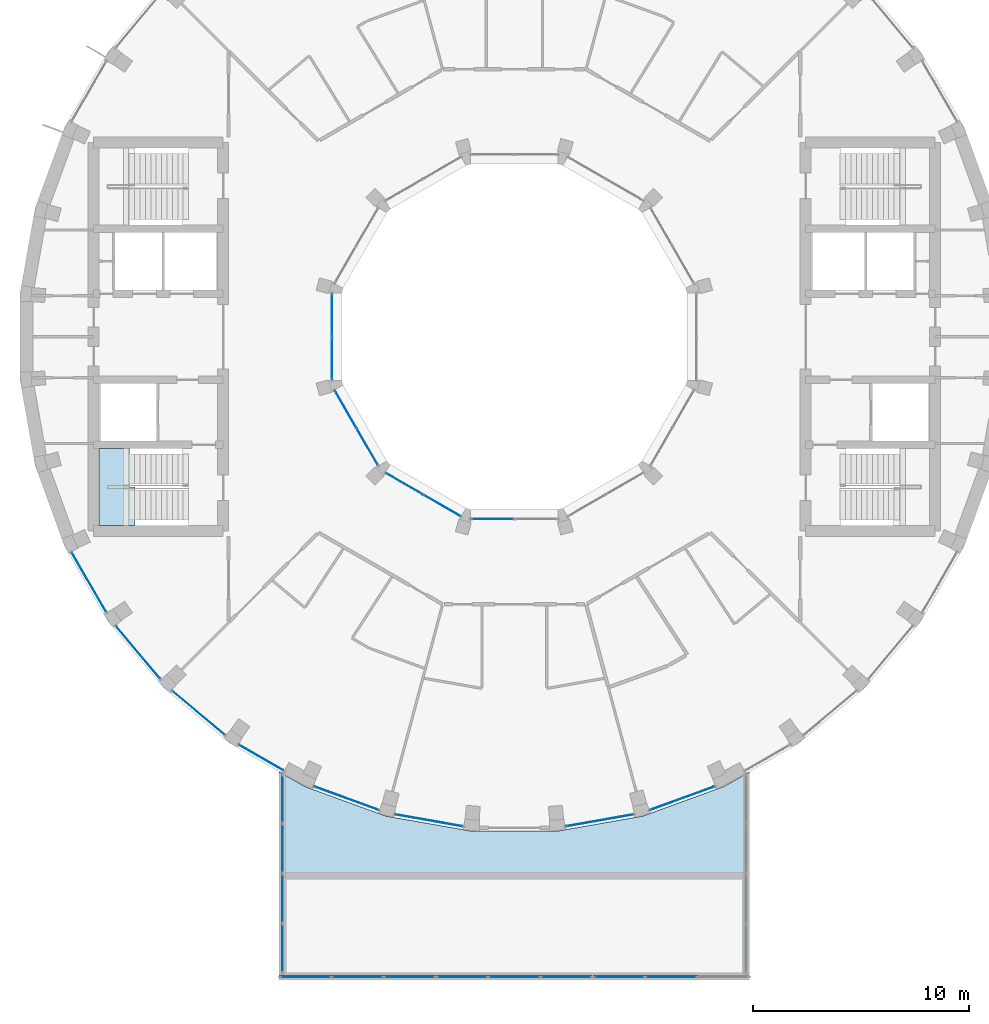
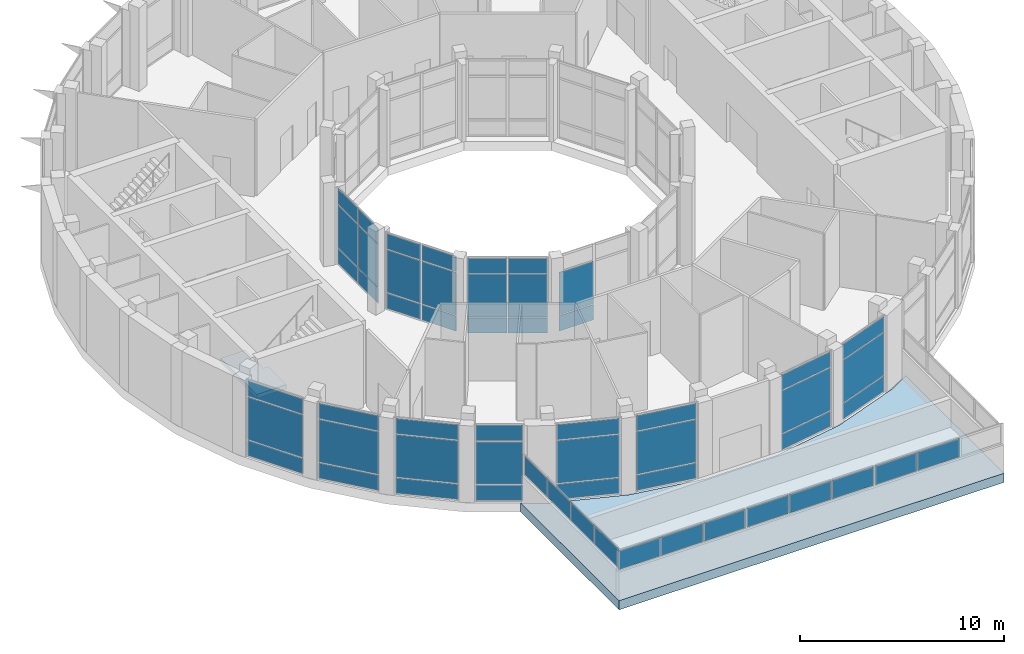
# One storey, part 10 of 19: 56 plates, 2 slabs, 17 elements without a shape of their own.
"""IFC4 building model written with IfcOpenShell, lengths in metres."""

from ifc_helpers import new_model, si_unit, direction, frame, origin, origin_2d, place, context, subcontext, project, spatial, polyline, rectangle, outline, extrude, material, layer, layer_set, type_object, element, aggregate, save


model = new_model("IFC4")

# Units and contexts
model_context = context("Model", 3, precision=1e-05, world=origin(), true_north=direction((0.0, 1.0)))
body_context = subcontext(model_context, "Body", "Model", "MODEL_VIEW")
ifc_project = project(units=[si_unit("LENGTHUNIT", "METRE"), si_unit("AREAUNIT", "SQUARE_METRE"), si_unit("VOLUMEUNIT", "CUBIC_METRE"), si_unit("PLANEANGLEUNIT", "RADIAN"), si_unit("MASSUNIT", "GRAM", prefix="KILO")], contexts=[model_context])

# Site, building, storey
site_placement = place(None, origin())
site = spatial("IfcSite", under=ifc_project, at=site_placement, CompositionType="ELEMENT")
building_placement = place(site_placement, origin())
building = spatial("IfcBuilding", under=site, at=building_placement, Name="Saqina Gate Tower", CompositionType="ELEMENT")
storey_placement = place(building_placement, frame((0.0, 0.0, 224.699951171875)))
storey = spatial("IfcBuildingStorey", under=building, at=storey_placement, Name="L64", CompositionType="ELEMENT", Elevation=224.699951171875)

# Curtain wall, plates
ifc_material_1 = material(Name="Aluminium glazing", Category="aluminium")
ifc_layer_1 = layer(ifc_material_1, 0.159912109375)
ifc_layer_set_1 = layer_set([ifc_layer_1], Name="CWT-2")
curtain_wall_type_1 = type_object("IfcCurtainWallType", Name="CWT-2", PredefinedType="NOTDEFINED", material=ifc_layer_set_1)
curtain_wall_1_placement = place(storey_placement, origin())
curtain_wall_1 = element("IfcCurtainWall", 1, at=curtain_wall_1_placement, inside=storey, type_object=curtain_wall_type_1, Name="Sky lounge glazing facet 21", PredefinedType="NOTDEFINED")
ifc_material_2 = material(Name="Glass", Category="glass")
ifc_layer_2 = layer(ifc_material_2, 0.028076171875)
ifc_layer_set_2 = layer_set([ifc_layer_2], Name="CWT-2P")
plate_type_1 = type_object("IfcPlateType", Name="CWT-2P", PredefinedType="CURTAIN_PANEL", material=ifc_layer_set_2)
plate_1_placement = place(storey_placement, frame((-19.712890625, -11.38134765625, 0.06005859375), z_axis=(0.0, 0.0, 1.0), x_axis=(0.499982449212, -0.8660355365, 0.0)))
plate_1 = element("IfcPlate", 2, at=plate_1_placement, type_object=plate_type_1, Name="CW2-21 panel 1.1", PredefinedType="CURTAIN_PANEL", context=body_context, shape_type="SweptSolid", body=[
    extrude(rectangle(XDim=3.1318359375, YDim=0.028076171875, at=origin_2d()), origin(), (0.0, 0.0, 1.0), 0.909912109375),
])
plate_2_placement = place(storey_placement, frame((-19.712890625, -11.38134765625, 1.030029296875), z_axis=(0.0, 0.0, 1.0), x_axis=(0.499982449212, -0.8660355365, 0.0)))
plate_2 = element("IfcPlate", 3, at=plate_2_placement, type_object=plate_type_1, Name="CW2-21 panel 1.2", PredefinedType="CURTAIN_PANEL", context=body_context, shape_type="SweptSolid", body=[
    extrude(rectangle(XDim=3.1318359375, YDim=0.028076171875, at=origin_2d()), origin(), (0.0, 0.0, 1.0), 2.5400390625),
])
plate_3_placement = place(storey_placement, frame((-19.712890625, -11.38134765625, 3.6298828125), z_axis=(0.0, 0.0, 1.0), x_axis=(0.499982449212, -0.8660355365, 0.0)))
plate_3 = element("IfcPlate", 4, at=plate_3_placement, type_object=plate_type_1, Name="CW2-21 panel 1.3", PredefinedType="CURTAIN_PANEL", context=body_context, shape_type="SweptSolid", body=[
    extrude(rectangle(XDim=3.1318359375, YDim=0.028076171875, at=origin_2d()), origin(), (0.0, 0.0, 1.0), 0.909912109375),
])
aggregate(curtain_wall_1, [plate_1, plate_2, plate_3])

curtain_wall_2_placement = place(storey_placement, origin())
curtain_wall_2 = element("IfcCurtainWall", 5, at=curtain_wall_2_placement, inside=storey, type_object=curtain_wall_type_1, Name="Sky lounge glazing facet 22", PredefinedType="NOTDEFINED")
plate_4_placement = place(storey_placement, frame((-17.43701171875, -14.63134765625, 0.06005859375), z_axis=(0.0, 0.0, 1.0), x_axis=(0.642785214609, -0.766046452821, 0.0)))
plate_4 = element("IfcPlate", 6, at=plate_4_placement, type_object=plate_type_1, Name="CW2-22 panel 1.1", PredefinedType="CURTAIN_PANEL", context=body_context, shape_type="SweptSolid", body=[
    extrude(rectangle(XDim=3.131591796875, YDim=0.028076171875, at=origin_2d()), origin(), (0.0, 0.0, 1.0), 0.909912109375),
])
plate_5_placement = place(storey_placement, frame((-17.43701171875, -14.63134765625, 1.030029296875), z_axis=(0.0, 0.0, 1.0), x_axis=(0.642785214609, -0.766046452821, 0.0)))
plate_5 = element("IfcPlate", 7, at=plate_5_placement, type_object=plate_type_1, Name="CW2-22 panel 1.2", PredefinedType="CURTAIN_PANEL", context=body_context, shape_type="SweptSolid", body=[
    extrude(rectangle(XDim=3.131591796875, YDim=0.028076171875, at=origin_2d()), origin(), (0.0, 0.0, 1.0), 2.5400390625),
])
plate_6_placement = place(storey_placement, frame((-17.43701171875, -14.63134765625, 3.6298828125), z_axis=(0.0, 0.0, 1.0), x_axis=(0.642785214609, -0.766046452821, 0.0)))
plate_6 = element("IfcPlate", 8, at=plate_6_placement, type_object=plate_type_1, Name="CW2-22 panel 1.3", PredefinedType="CURTAIN_PANEL", context=body_context, shape_type="SweptSolid", body=[
    extrude(rectangle(XDim=3.131591796875, YDim=0.028076171875, at=origin_2d()), origin(), (0.0, 0.0, 1.0), 0.909912109375),
])
aggregate(curtain_wall_2, [plate_4, plate_5, plate_6])

curtain_wall_3_placement = place(storey_placement, origin())
curtain_wall_3 = element("IfcCurtainWall", 9, at=curtain_wall_3_placement, inside=storey, type_object=curtain_wall_type_1, Name="Sky lounge glazing facet 23", PredefinedType="NOTDEFINED")
plate_7_placement = place(storey_placement, frame((-14.63134765625, -17.43701171875, 0.06005859375), z_axis=(0.0, 0.0, 1.0), x_axis=(0.766046452821, -0.642785214609, 0.0)))
plate_7 = element("IfcPlate", 10, at=plate_7_placement, type_object=plate_type_1, Name="CW2-23 panel 1.1", PredefinedType="CURTAIN_PANEL", context=body_context, shape_type="SweptSolid", body=[
    extrude(rectangle(XDim=3.131591796875, YDim=0.028076171875, at=origin_2d()), origin(), (0.0, 0.0, 1.0), 0.909912109375),
])
plate_8_placement = place(storey_placement, frame((-14.63134765625, -17.43701171875, 1.030029296875), z_axis=(0.0, 0.0, 1.0), x_axis=(0.766046452821, -0.642785214609, 0.0)))
plate_8 = element("IfcPlate", 11, at=plate_8_placement, type_object=plate_type_1, Name="CW2-23 panel 1.2", PredefinedType="CURTAIN_PANEL", context=body_context, shape_type="SweptSolid", body=[
    extrude(rectangle(XDim=3.131591796875, YDim=0.028076171875, at=origin_2d()), origin(), (0.0, 0.0, 1.0), 2.5400390625),
])
plate_9_placement = place(storey_placement, frame((-14.63134765625, -17.43701171875, 3.6298828125), z_axis=(0.0, 0.0, 1.0), x_axis=(0.766046452821, -0.642785214609, 0.0)))
plate_9 = element("IfcPlate", 12, at=plate_9_placement, type_object=plate_type_1, Name="CW2-23 panel 1.3", PredefinedType="CURTAIN_PANEL", context=body_context, shape_type="SweptSolid", body=[
    extrude(rectangle(XDim=3.131591796875, YDim=0.028076171875, at=origin_2d()), origin(), (0.0, 0.0, 1.0), 0.909912109375),
])
aggregate(curtain_wall_3, [plate_7, plate_8, plate_9])

curtain_wall_4_placement = place(storey_placement, origin())
curtain_wall_4 = element("IfcCurtainWall", 13, at=curtain_wall_4_placement, inside=storey, type_object=curtain_wall_type_1, Name="Sky lounge glazing facet 24", PredefinedType="NOTDEFINED")
plate_10_placement = place(storey_placement, frame((-11.732177734375, -19.51025390625, 0.06005859375), z_axis=(0.0, 0.0, 1.0), x_axis=(0.866041663294, -0.499971836646, 0.0)))
plate_10 = element("IfcPlate", 14, at=plate_10_placement, type_object=plate_type_1, Name="CW2-24 panel 1.1", PredefinedType="CURTAIN_PANEL", context=body_context, shape_type="SweptSolid", body=[
    extrude(rectangle(XDim=2.3212890625, YDim=0.028076171875, at=origin_2d()), origin(), (0.0, 0.0, 1.0), 0.909912109375),
])
plate_11_placement = place(storey_placement, frame((-11.732177734375, -19.51025390625, 1.030029296875), z_axis=(0.0, 0.0, 1.0), x_axis=(0.866041663294, -0.499971836646, 0.0)))
plate_11 = element("IfcPlate", 15, at=plate_11_placement, type_object=plate_type_1, Name="CW2-24 panel 1.2", PredefinedType="CURTAIN_PANEL", context=body_context, shape_type="SweptSolid", body=[
    extrude(rectangle(XDim=2.3212890625, YDim=0.028076171875, at=origin_2d()), origin(), (0.0, 0.0, 1.0), 2.5400390625),
])
plate_12_placement = place(storey_placement, frame((-11.732177734375, -19.51025390625, 3.6298828125), z_axis=(0.0, 0.0, 1.0), x_axis=(0.866041663294, -0.499971836646, 0.0)))
plate_12 = element("IfcPlate", 16, at=plate_12_placement, type_object=plate_type_1, Name="CW2-24 panel 1.3", PredefinedType="CURTAIN_PANEL", context=body_context, shape_type="SweptSolid", body=[
    extrude(rectangle(XDim=2.3212890625, YDim=0.028076171875, at=origin_2d()), origin(), (0.0, 0.0, 1.0), 0.909912109375),
])
aggregate(curtain_wall_4, [plate_10, plate_11, plate_12])

curtain_wall_5_placement = place(storey_placement, origin())
curtain_wall_5 = element("IfcCurtainWall", 17, at=curtain_wall_5_placement, inside=storey, type_object=curtain_wall_type_1, Name="Sky lounge glazing facet 25", PredefinedType="NOTDEFINED")
plate_13_placement = place(storey_placement, frame((-7.78515625, -21.3896484375, 0.06005859375), z_axis=(0.0, 0.0, 1.0), x_axis=(0.939697310402, -0.342007258437, 0.0)))
plate_13 = element("IfcPlate", 18, at=plate_13_placement, type_object=plate_type_1, Name="CW2-25 panel 1.1", PredefinedType="CURTAIN_PANEL", context=body_context, shape_type="SweptSolid", body=[
    extrude(rectangle(XDim=3.131591796875, YDim=0.028076171875, at=origin_2d()), origin(), (0.0, 0.0, 1.0), 0.909912109375),
])
plate_14_placement = place(storey_placement, frame((-7.78515625, -21.3896484375, 1.030029296875), z_axis=(0.0, 0.0, 1.0), x_axis=(0.939697310402, -0.342007258437, 0.0)))
plate_14 = element("IfcPlate", 19, at=plate_14_placement, type_object=plate_type_1, Name="CW2-25 panel 1.2", PredefinedType="CURTAIN_PANEL", context=body_context, shape_type="SweptSolid", body=[
    extrude(rectangle(XDim=3.131591796875, YDim=0.028076171875, at=origin_2d()), origin(), (0.0, 0.0, 1.0), 2.5400390625),
])
plate_15_placement = place(storey_placement, frame((-7.78515625, -21.3896484375, 3.6298828125), z_axis=(0.0, 0.0, 1.0), x_axis=(0.939697310402, -0.342007258437, 0.0)))
plate_15 = element("IfcPlate", 20, at=plate_15_placement, type_object=plate_type_1, Name="CW2-25 panel 1.3", PredefinedType="CURTAIN_PANEL", context=body_context, shape_type="SweptSolid", body=[
    extrude(rectangle(XDim=3.131591796875, YDim=0.028076171875, at=origin_2d()), origin(), (0.0, 0.0, 1.0), 0.909912109375),
])
aggregate(curtain_wall_5, [plate_13, plate_14, plate_15])

curtain_wall_6_placement = place(storey_placement, origin())
curtain_wall_6 = element("IfcCurtainWall", 21, at=curtain_wall_6_placement, inside=storey, type_object=curtain_wall_type_1, Name="Sky lounge glazing facet 26", PredefinedType="NOTDEFINED")
plate_16_placement = place(storey_placement, frame((-3.95263671875, -22.416748046875, 0.06005859375), z_axis=(0.0, 0.0, 1.0), x_axis=(0.984805222779, -0.173662526718, 0.0)))
plate_16 = element("IfcPlate", 22, at=plate_16_placement, type_object=plate_type_1, Name="CW2-26 panel 1.1", PredefinedType="CURTAIN_PANEL", context=body_context, shape_type="SweptSolid", body=[
    extrude(rectangle(XDim=3.131591796875, YDim=0.028076171875, at=origin_2d()), origin(), (0.0, 0.0, 1.0), 0.909912109375),
])
plate_17_placement = place(storey_placement, frame((-3.95263671875, -22.416748046875, 1.030029296875), z_axis=(0.0, 0.0, 1.0), x_axis=(0.984805222779, -0.173662526718, 0.0)))
plate_17 = element("IfcPlate", 23, at=plate_17_placement, type_object=plate_type_1, Name="CW2-26 panel 1.2", PredefinedType="CURTAIN_PANEL", context=body_context, shape_type="SweptSolid", body=[
    extrude(rectangle(XDim=3.131591796875, YDim=0.028076171875, at=origin_2d()), origin(), (0.0, 0.0, 1.0), 2.5400390625),
])
plate_18_placement = place(storey_placement, frame((-3.95263671875, -22.416748046875, 3.6298828125), z_axis=(0.0, 0.0, 1.0), x_axis=(0.984805222779, -0.173662526718, 0.0)))
plate_18 = element("IfcPlate", 24, at=plate_18_placement, type_object=plate_type_1, Name="CW2-26 panel 1.3", PredefinedType="CURTAIN_PANEL", context=body_context, shape_type="SweptSolid", body=[
    extrude(rectangle(XDim=3.131591796875, YDim=0.028076171875, at=origin_2d()), origin(), (0.0, 0.0, 1.0), 0.909912109375),
])
aggregate(curtain_wall_6, [plate_16, plate_17, plate_18])

curtain_wall_7_placement = place(storey_placement, origin())
curtain_wall_7 = element("IfcCurtainWall", 25, at=curtain_wall_7_placement, inside=storey, type_object=curtain_wall_type_1, Name="Sky lounge glazing facet 28", PredefinedType="NOTDEFINED")
plate_19_placement = place(storey_placement, frame((3.95263671875, -22.416748046875, 0.06005859375), z_axis=(0.0, 0.0, 1.0), x_axis=(0.984805222779, 0.173662526718, 0.0)))
plate_19 = element("IfcPlate", 26, at=plate_19_placement, type_object=plate_type_1, Name="CW2-28 panel 1.1", PredefinedType="CURTAIN_PANEL", context=body_context, shape_type="SweptSolid", body=[
    extrude(rectangle(XDim=3.131591796875, YDim=0.028076171875, at=origin_2d()), origin(), (0.0, 0.0, 1.0), 0.909912109375),
])
plate_20_placement = place(storey_placement, frame((3.95263671875, -22.416748046875, 1.030029296875), z_axis=(0.0, 0.0, 1.0), x_axis=(0.984805222779, 0.173662526718, 0.0)))
plate_20 = element("IfcPlate", 27, at=plate_20_placement, type_object=plate_type_1, Name="CW2-28 panel 1.2", PredefinedType="CURTAIN_PANEL", context=body_context, shape_type="SweptSolid", body=[
    extrude(rectangle(XDim=3.131591796875, YDim=0.028076171875, at=origin_2d()), origin(), (0.0, 0.0, 1.0), 2.5400390625),
])
plate_21_placement = place(storey_placement, frame((3.95263671875, -22.416748046875, 3.6298828125), z_axis=(0.0, 0.0, 1.0), x_axis=(0.984805222779, 0.173662526718, 0.0)))
plate_21 = element("IfcPlate", 28, at=plate_21_placement, type_object=plate_type_1, Name="CW2-28 panel 1.3", PredefinedType="CURTAIN_PANEL", context=body_context, shape_type="SweptSolid", body=[
    extrude(rectangle(XDim=3.131591796875, YDim=0.028076171875, at=origin_2d()), origin(), (0.0, 0.0, 1.0), 0.909912109375),
])
aggregate(curtain_wall_7, [plate_19, plate_20, plate_21])

curtain_wall_8_placement = place(storey_placement, origin())
curtain_wall_8 = element("IfcCurtainWall", 29, at=curtain_wall_8_placement, inside=storey, type_object=curtain_wall_type_1, Name="Sky lounge glazing facet 29", PredefinedType="NOTDEFINED")
plate_22_placement = place(storey_placement, frame((7.78515625, -21.3896484375, 0.06005859375), z_axis=(0.0, 0.0, 1.0), x_axis=(0.939697310402, 0.342007258437, 0.0)))
plate_22 = element("IfcPlate", 30, at=plate_22_placement, type_object=plate_type_1, Name="CW2-29 panel 1.1", PredefinedType="CURTAIN_PANEL", context=body_context, shape_type="SweptSolid", body=[
    extrude(rectangle(XDim=3.131591796875, YDim=0.028076171875, at=origin_2d()), origin(), (0.0, 0.0, 1.0), 0.909912109375),
])
plate_23_placement = place(storey_placement, frame((7.78515625, -21.3896484375, 1.030029296875), z_axis=(0.0, 0.0, 1.0), x_axis=(0.939697310402, 0.342007258437, 0.0)))
plate_23 = element("IfcPlate", 31, at=plate_23_placement, type_object=plate_type_1, Name="CW2-29 panel 1.2", PredefinedType="CURTAIN_PANEL", context=body_context, shape_type="SweptSolid", body=[
    extrude(rectangle(XDim=3.131591796875, YDim=0.028076171875, at=origin_2d()), origin(), (0.0, 0.0, 1.0), 2.5400390625),
])
plate_24_placement = place(storey_placement, frame((7.78515625, -21.3896484375, 3.6298828125), z_axis=(0.0, 0.0, 1.0), x_axis=(0.939697310402, 0.342007258437, 0.0)))
plate_24 = element("IfcPlate", 32, at=plate_24_placement, type_object=plate_type_1, Name="CW2-29 panel 1.3", PredefinedType="CURTAIN_PANEL", context=body_context, shape_type="SweptSolid", body=[
    extrude(rectangle(XDim=3.131591796875, YDim=0.028076171875, at=origin_2d()), origin(), (0.0, 0.0, 1.0), 0.909912109375),
])
aggregate(curtain_wall_8, [plate_22, plate_23, plate_24])

ifc_material_3 = material(Name="Aluminium glazing", Category="aluminium")
ifc_layer_3 = layer(ifc_material_3, 0.159912109375)
ifc_layer_set_3 = layer_set([ifc_layer_3], Name="CWT-3")
curtain_wall_type_2 = type_object("IfcCurtainWallType", Name="CWT-3", PredefinedType="NOTDEFINED", material=ifc_layer_set_3)
curtain_wall_9_placement = place(storey_placement, origin())
curtain_wall_9 = element("IfcCurtainWall", 33, at=curtain_wall_9_placement, inside=storey, type_object=curtain_wall_type_2, Name="Sky lounge well glazing L64 facet 6", PredefinedType="NOTDEFINED")
ifc_material_4 = material(Name="Glass", Category="glass")
ifc_layer_4 = layer(ifc_material_4, 0.028076171875)
ifc_layer_set_4 = layer_set([ifc_layer_4], Name="CWT-3P")
plate_type_2 = type_object("IfcPlateType", Name="CWT-3P", PredefinedType="CURTAIN_PANEL", material=ifc_layer_set_4)
plate_25_placement = place(storey_placement, frame((-8.449951171875, 0.999755859375, 0.06005859375), z_axis=(0.0, 0.0, 1.0), x_axis=(0.0, -1.0, 0.0)))
plate_25 = element("IfcPlate", 34, at=plate_25_placement, type_object=plate_type_2, Name="CW3-06 panel 1.1", PredefinedType="CURTAIN_PANEL", context=body_context, shape_type="SweptSolid", body=[
    extrude(rectangle(XDim=1.939453125, YDim=0.028076171875, at=origin_2d()), origin(), (0.0, 0.0, 1.0), 0.909912109375),
])
plate_26_placement = place(storey_placement, frame((-8.449951171875, 0.999755859375, 1.030029296875), z_axis=(0.0, 0.0, 1.0), x_axis=(0.0, -1.0, 0.0)))
plate_26 = element("IfcPlate", 35, at=plate_26_placement, type_object=plate_type_2, Name="CW3-06 panel 1.2", PredefinedType="CURTAIN_PANEL", context=body_context, shape_type="SweptSolid", body=[
    extrude(rectangle(XDim=1.939453125, YDim=0.028076171875, at=origin_2d()), origin(), (0.0, 0.0, 1.0), 2.5400390625),
])
plate_27_placement = place(storey_placement, frame((-8.449951171875, 0.999755859375, 3.6298828125), z_axis=(0.0, 0.0, 1.0), x_axis=(0.0, -1.0, 0.0)))
plate_27 = element("IfcPlate", 36, at=plate_27_placement, type_object=plate_type_2, Name="CW3-06 panel 1.3", PredefinedType="CURTAIN_PANEL", context=body_context, shape_type="SweptSolid", body=[
    extrude(rectangle(XDim=1.939453125, YDim=0.028076171875, at=origin_2d()), origin(), (0.0, 0.0, 1.0), 0.909912109375),
])
plate_28_placement = place(storey_placement, frame((-8.449951171875, -0.999755859375, 0.06005859375), z_axis=(0.0, 0.0, 1.0), x_axis=(0.0, -1.0, 0.0)))
plate_28 = element("IfcPlate", 37, at=plate_28_placement, type_object=plate_type_2, Name="CW3-06 panel 2.1", PredefinedType="CURTAIN_PANEL", context=body_context, shape_type="SweptSolid", body=[
    extrude(rectangle(XDim=1.939453125, YDim=0.028076171875, at=origin_2d()), origin(), (0.0, 0.0, 1.0), 0.909912109375),
])
plate_29_placement = place(storey_placement, frame((-8.449951171875, -0.999755859375, 1.030029296875), z_axis=(0.0, 0.0, 1.0), x_axis=(0.0, -1.0, 0.0)))
plate_29 = element("IfcPlate", 38, at=plate_29_placement, type_object=plate_type_2, Name="CW3-06 panel 2.2", PredefinedType="CURTAIN_PANEL", context=body_context, shape_type="SweptSolid", body=[
    extrude(rectangle(XDim=1.939453125, YDim=0.028076171875, at=origin_2d()), origin(), (0.0, 0.0, 1.0), 2.5400390625),
])
plate_30_placement = place(storey_placement, frame((-8.449951171875, -0.999755859375, 3.6298828125), z_axis=(0.0, 0.0, 1.0), x_axis=(0.0, -1.0, 0.0)))
plate_30 = element("IfcPlate", 39, at=plate_30_placement, type_object=plate_type_2, Name="CW3-06 panel 2.3", PredefinedType="CURTAIN_PANEL", context=body_context, shape_type="SweptSolid", body=[
    extrude(rectangle(XDim=1.939453125, YDim=0.028076171875, at=origin_2d()), origin(), (0.0, 0.0, 1.0), 0.909912109375),
])
aggregate(curtain_wall_9, [plate_25, plate_26, plate_27, plate_28, plate_29, plate_30])

curtain_wall_10_placement = place(storey_placement, origin())
curtain_wall_10 = element("IfcCurtainWall", 40, at=curtain_wall_10_placement, inside=storey, type_object=curtain_wall_type_2, Name="Sky lounge well glazing L64 facet 7", PredefinedType="NOTDEFINED")
plate_31_placement = place(storey_placement, frame((-7.81787109375, -3.359130859375, 0.06005859375), z_axis=(0.0, 0.0, 1.0), x_axis=(0.500002550729, -0.866023931115, 0.0)))
plate_31 = element("IfcPlate", 41, at=plate_31_placement, type_object=plate_type_2, Name="CW3-07 panel 1.1", PredefinedType="CURTAIN_PANEL", context=body_context, shape_type="SweptSolid", body=[
    extrude(rectangle(XDim=1.939453125, YDim=0.028076171875, at=origin_2d()), origin(), (0.0, 0.0, 1.0), 0.909912109375),
])
plate_32_placement = place(storey_placement, frame((-7.81787109375, -3.359130859375, 1.030029296875), z_axis=(0.0, 0.0, 1.0), x_axis=(0.500002550729, -0.866023931115, 0.0)))
plate_32 = element("IfcPlate", 42, at=plate_32_placement, type_object=plate_type_2, Name="CW3-07 panel 1.2", PredefinedType="CURTAIN_PANEL", context=body_context, shape_type="SweptSolid", body=[
    extrude(rectangle(XDim=1.939453125, YDim=0.028076171875, at=origin_2d()), origin(), (0.0, 0.0, 1.0), 2.5400390625),
])
plate_33_placement = place(storey_placement, frame((-7.81787109375, -3.359130859375, 3.6298828125), z_axis=(0.0, 0.0, 1.0), x_axis=(0.500002550729, -0.866023931115, 0.0)))
plate_33 = element("IfcPlate", 43, at=plate_33_placement, type_object=plate_type_2, Name="CW3-07 panel 1.3", PredefinedType="CURTAIN_PANEL", context=body_context, shape_type="SweptSolid", body=[
    extrude(rectangle(XDim=1.939453125, YDim=0.028076171875, at=origin_2d()), origin(), (0.0, 0.0, 1.0), 0.909912109375),
])
plate_34_placement = place(storey_placement, frame((-6.818115234375, -5.0908203125, 0.06005859375), z_axis=(0.0, 0.0, 1.0), x_axis=(0.500002550729, -0.866023931115, 0.0)))
plate_34 = element("IfcPlate", 44, at=plate_34_placement, type_object=plate_type_2, Name="CW3-07 panel 2.1", PredefinedType="CURTAIN_PANEL", context=body_context, shape_type="SweptSolid", body=[
    extrude(rectangle(XDim=1.939453125, YDim=0.028076171875, at=origin_2d()), origin(), (0.0, 0.0, 1.0), 0.909912109375),
])
plate_35_placement = place(storey_placement, frame((-6.818115234375, -5.0908203125, 1.030029296875), z_axis=(0.0, 0.0, 1.0), x_axis=(0.500002550729, -0.866023931115, 0.0)))
plate_35 = element("IfcPlate", 45, at=plate_35_placement, type_object=plate_type_2, Name="CW3-07 panel 2.2", PredefinedType="CURTAIN_PANEL", context=body_context, shape_type="SweptSolid", body=[
    extrude(rectangle(XDim=1.939453125, YDim=0.028076171875, at=origin_2d()), origin(), (0.0, 0.0, 1.0), 2.5400390625),
])
plate_36_placement = place(storey_placement, frame((-6.818115234375, -5.0908203125, 3.6298828125), z_axis=(0.0, 0.0, 1.0), x_axis=(0.500002550729, -0.866023931115, 0.0)))
plate_36 = element("IfcPlate", 46, at=plate_36_placement, type_object=plate_type_2, Name="CW3-07 panel 2.3", PredefinedType="CURTAIN_PANEL", context=body_context, shape_type="SweptSolid", body=[
    extrude(rectangle(XDim=1.939453125, YDim=0.028076171875, at=origin_2d()), origin(), (0.0, 0.0, 1.0), 0.909912109375),
])
aggregate(curtain_wall_10, [plate_31, plate_32, plate_33, plate_34, plate_35, plate_36])

curtain_wall_11_placement = place(storey_placement, origin())
curtain_wall_11 = element("IfcCurtainWall", 47, at=curtain_wall_11_placement, inside=storey, type_object=curtain_wall_type_2, Name="Sky lounge well glazing L64 facet 8", PredefinedType="NOTDEFINED")
plate_37_placement = place(storey_placement, frame((-5.0908203125, -6.818115234375, 0.06005859375), z_axis=(0.0, 0.0, 1.0), x_axis=(0.866023931115, -0.500002550729, 0.0)))
plate_37 = element("IfcPlate", 48, at=plate_37_placement, type_object=plate_type_2, Name="CW3-08 panel 1.1", PredefinedType="CURTAIN_PANEL", context=body_context, shape_type="SweptSolid", body=[
    extrude(rectangle(XDim=1.939453125, YDim=0.028076171875, at=origin_2d()), origin(), (0.0, 0.0, 1.0), 0.909912109375),
])
plate_38_placement = place(storey_placement, frame((-5.0908203125, -6.818115234375, 1.030029296875), z_axis=(0.0, 0.0, 1.0), x_axis=(0.866023931115, -0.500002550729, 0.0)))
plate_38 = element("IfcPlate", 49, at=plate_38_placement, type_object=plate_type_2, Name="CW3-08 panel 1.2", PredefinedType="CURTAIN_PANEL", context=body_context, shape_type="SweptSolid", body=[
    extrude(rectangle(XDim=1.939453125, YDim=0.028076171875, at=origin_2d()), origin(), (0.0, 0.0, 1.0), 2.5400390625),
])
plate_39_placement = place(storey_placement, frame((-5.0908203125, -6.818115234375, 3.6298828125), z_axis=(0.0, 0.0, 1.0), x_axis=(0.866023931115, -0.500002550729, 0.0)))
plate_39 = element("IfcPlate", 50, at=plate_39_placement, type_object=plate_type_2, Name="CW3-08 panel 1.3", PredefinedType="CURTAIN_PANEL", context=body_context, shape_type="SweptSolid", body=[
    extrude(rectangle(XDim=1.939453125, YDim=0.028076171875, at=origin_2d()), origin(), (0.0, 0.0, 1.0), 0.909912109375),
])
plate_40_placement = place(storey_placement, frame((-3.359130859375, -7.81787109375, 0.06005859375), z_axis=(0.0, 0.0, 1.0), x_axis=(0.866023931115, -0.500002550729, 0.0)))
plate_40 = element("IfcPlate", 51, at=plate_40_placement, type_object=plate_type_2, Name="CW3-08 panel 2.1", PredefinedType="CURTAIN_PANEL", context=body_context, shape_type="SweptSolid", body=[
    extrude(rectangle(XDim=1.939453125, YDim=0.028076171875, at=origin_2d()), origin(), (0.0, 0.0, 1.0), 0.909912109375),
])
plate_41_placement = place(storey_placement, frame((-3.359130859375, -7.81787109375, 1.030029296875), z_axis=(0.0, 0.0, 1.0), x_axis=(0.866023931115, -0.500002550729, 0.0)))
plate_41 = element("IfcPlate", 52, at=plate_41_placement, type_object=plate_type_2, Name="CW3-08 panel 2.2", PredefinedType="CURTAIN_PANEL", context=body_context, shape_type="SweptSolid", body=[
    extrude(rectangle(XDim=1.939453125, YDim=0.028076171875, at=origin_2d()), origin(), (0.0, 0.0, 1.0), 2.5400390625),
])
plate_42_placement = place(storey_placement, frame((-3.359130859375, -7.81787109375, 3.6298828125), z_axis=(0.0, 0.0, 1.0), x_axis=(0.866023931115, -0.500002550729, 0.0)))
plate_42 = element("IfcPlate", 53, at=plate_42_placement, type_object=plate_type_2, Name="CW3-08 panel 2.3", PredefinedType="CURTAIN_PANEL", context=body_context, shape_type="SweptSolid", body=[
    extrude(rectangle(XDim=1.939453125, YDim=0.028076171875, at=origin_2d()), origin(), (0.0, 0.0, 1.0), 0.909912109375),
])
aggregate(curtain_wall_11, [plate_37, plate_38, plate_39, plate_40, plate_41, plate_42])

curtain_wall_12_placement = place(storey_placement, origin())
curtain_wall_12 = element("IfcCurtainWall", 54, at=curtain_wall_12_placement, inside=storey, type_object=curtain_wall_type_2, Name="Sky lounge well glazing L64 facet 9", PredefinedType="NOTDEFINED")
plate_43_placement = place(storey_placement, frame((-0.999755859375, -8.449951171875, 0.06005859375), z_axis=(0.0, 0.0, 1.0), x_axis=(1.0, 0.0, 0.0)))
plate_43 = element("IfcPlate", 55, at=plate_43_placement, type_object=plate_type_2, Name="CW3-09 panel 1.1", PredefinedType="CURTAIN_PANEL", context=body_context, shape_type="SweptSolid", body=[
    extrude(rectangle(XDim=1.939453125, YDim=0.028076171875, at=origin_2d()), origin(), (0.0, 0.0, 1.0), 0.909912109375),
])
plate_44_placement = place(storey_placement, frame((-0.999755859375, -8.449951171875, 1.030029296875), z_axis=(0.0, 0.0, 1.0), x_axis=(1.0, 0.0, 0.0)))
plate_44 = element("IfcPlate", 56, at=plate_44_placement, type_object=plate_type_2, Name="CW3-09 panel 1.2", PredefinedType="CURTAIN_PANEL", context=body_context, shape_type="SweptSolid", body=[
    extrude(rectangle(XDim=1.939453125, YDim=0.028076171875, at=origin_2d()), origin(), (0.0, 0.0, 1.0), 2.5400390625),
])
aggregate(curtain_wall_12, [plate_43, plate_44])

ifc_material_5 = material(Name="Aluminium glazing", Category="aluminium")
ifc_layer_5 = layer(ifc_material_5, 0.159912109375)
ifc_layer_set_5 = layer_set([ifc_layer_5], Name="CWT-6")
curtain_wall_type_3 = type_object("IfcCurtainWallType", Name="CWT-6", PredefinedType="NOTDEFINED", material=ifc_layer_set_5)
curtain_wall_13_placement = place(storey_placement, origin())
curtain_wall_13 = element("IfcCurtainWall", 57, at=curtain_wall_13_placement, inside=storey, type_object=curtain_wall_type_3, Name="Sky pool glass S1", PredefinedType="NOTDEFINED")
ifc_material_6 = material(Name="Glass", Category="glass")
ifc_layer_6 = layer(ifc_material_6, 0.028076171875)
ifc_layer_set_6 = layer_set([ifc_layer_6], Name="CWT-6P")
plate_type_3 = type_object("IfcPlateType", Name="CWT-6P", PredefinedType="CURTAIN_PANEL", material=ifc_layer_set_6)
plate_45_placement = place(storey_placement, frame((-9.673828125, -29.66259765625, 1.760009765625), z_axis=(0.0, 0.0, 1.0), x_axis=(1.0, 0.0, 0.0)))
plate_45 = element("IfcPlate", 58, at=plate_45_placement, type_object=plate_type_3, Name="CW6-S1 panel 1.1", PredefinedType="CURTAIN_PANEL", context=body_context, shape_type="SweptSolid", body=[
    extrude(rectangle(XDim=2.332275390625, YDim=0.028076171875, at=origin_2d()), origin(), (0.0, 0.0, 1.0), 1.080078125),
])
plate_46_placement = place(storey_placement, frame((-7.2666015625, -29.66259765625, 1.760009765625), z_axis=(0.0, 0.0, 1.0), x_axis=(1.0, 0.0, 0.0)))
plate_46 = element("IfcPlate", 59, at=plate_46_placement, type_object=plate_type_3, Name="CW6-S1 panel 2.1", PredefinedType="CURTAIN_PANEL", context=body_context, shape_type="SweptSolid", body=[
    extrude(rectangle(XDim=2.3623046875, YDim=0.028076171875, at=origin_2d()), origin(), (0.0, 0.0, 1.0), 1.080078125),
])
plate_47_placement = place(storey_placement, frame((-4.859375, -29.66259765625, 1.760009765625), z_axis=(0.0, 0.0, 1.0), x_axis=(1.0, 0.0, 0.0)))
plate_47 = element("IfcPlate", 60, at=plate_47_placement, type_object=plate_type_3, Name="CW6-S1 panel 3.1", PredefinedType="CURTAIN_PANEL", context=body_context, shape_type="SweptSolid", body=[
    extrude(rectangle(XDim=2.332275390625, YDim=0.028076171875, at=origin_2d()), origin(), (0.0, 0.0, 1.0), 1.080078125),
])
aggregate(curtain_wall_13, [plate_45, plate_46, plate_47])

curtain_wall_14_placement = place(storey_placement, origin())
curtain_wall_14 = element("IfcCurtainWall", 61, at=curtain_wall_14_placement, inside=storey, type_object=curtain_wall_type_3, Name="Sky pool glass S2", PredefinedType="NOTDEFINED")
plate_48_placement = place(storey_placement, frame((-2.4072265625, -29.66259765625, 1.760009765625), z_axis=(0.0, 0.0, 1.0), x_axis=(1.0, 0.0, 0.0)))
plate_48 = element("IfcPlate", 62, at=plate_48_placement, type_object=plate_type_3, Name="CW6-S2 panel 1.1", PredefinedType="CURTAIN_PANEL", context=body_context, shape_type="SweptSolid", body=[
    extrude(rectangle(XDim=2.332275390625, YDim=0.028076171875, at=origin_2d()), origin(), (0.0, 0.0, 1.0), 1.080078125),
])
plate_49_placement = place(storey_placement, frame((0.0, -29.66259765625, 1.760009765625), z_axis=(0.0, 0.0, 1.0), x_axis=(1.0, 0.0, 0.0)))
plate_49 = element("IfcPlate", 63, at=plate_49_placement, type_object=plate_type_3, Name="CW6-S2 panel 2.1", PredefinedType="CURTAIN_PANEL", context=body_context, shape_type="SweptSolid", body=[
    extrude(rectangle(XDim=2.3623046875, YDim=0.028076171875, at=origin_2d()), origin(), (0.0, 0.0, 1.0), 1.080078125),
])
plate_50_placement = place(storey_placement, frame((2.4072265625, -29.66259765625, 1.760009765625), z_axis=(0.0, 0.0, 1.0), x_axis=(1.0, 0.0, 0.0)))
plate_50 = element("IfcPlate", 64, at=plate_50_placement, type_object=plate_type_3, Name="CW6-S2 panel 3.1", PredefinedType="CURTAIN_PANEL", context=body_context, shape_type="SweptSolid", body=[
    extrude(rectangle(XDim=2.332275390625, YDim=0.028076171875, at=origin_2d()), origin(), (0.0, 0.0, 1.0), 1.080078125),
])
aggregate(curtain_wall_14, [plate_48, plate_49, plate_50])

curtain_wall_15_placement = place(storey_placement, origin())
curtain_wall_15 = element("IfcCurtainWall", 65, at=curtain_wall_15_placement, inside=storey, type_object=curtain_wall_type_3, Name="Sky pool glass S3", PredefinedType="NOTDEFINED")
plate_51_placement = place(storey_placement, frame((4.859375, -29.66259765625, 1.760009765625), z_axis=(0.0, 0.0, 1.0), x_axis=(1.0, 0.0, 0.0)))
plate_51 = element("IfcPlate", 66, at=plate_51_placement, type_object=plate_type_3, Name="CW6-S3 panel 1.1", PredefinedType="CURTAIN_PANEL", context=body_context, shape_type="SweptSolid", body=[
    extrude(rectangle(XDim=2.332275390625, YDim=0.028076171875, at=origin_2d()), origin(), (0.0, 0.0, 1.0), 1.080078125),
])
plate_52_placement = place(storey_placement, frame((7.2666015625, -29.66259765625, 1.760009765625), z_axis=(0.0, 0.0, 1.0), x_axis=(1.0, 0.0, 0.0)))
plate_52 = element("IfcPlate", 67, at=plate_52_placement, type_object=plate_type_3, Name="CW6-S3 panel 2.1", PredefinedType="CURTAIN_PANEL", context=body_context, shape_type="SweptSolid", body=[
    extrude(rectangle(XDim=2.3623046875, YDim=0.028076171875, at=origin_2d()), origin(), (0.0, 0.0, 1.0), 1.080078125),
])
aggregate(curtain_wall_15, [plate_51, plate_52])

curtain_wall_16_placement = place(storey_placement, origin())
curtain_wall_16 = element("IfcCurtainWall", 68, at=curtain_wall_16_placement, inside=storey, type_object=curtain_wall_type_3, Name="Sky pool glass W", PredefinedType="NOTDEFINED")
plate_53_placement = place(storey_placement, frame((-10.75, -28.33984375, 1.760009765625), z_axis=(0.0, 0.0, 1.0), x_axis=(0.0, 1.0, 0.0)))
plate_53 = element("IfcPlate", 69, at=plate_53_placement, type_object=plate_type_3, Name="CW6-W panel 1.1", PredefinedType="CURTAIN_PANEL", context=body_context, shape_type="SweptSolid", body=[
    extrude(rectangle(XDim=2.2255859375, YDim=0.028076171875, at=origin_2d()), origin(), (0.0, 0.0, 1.0), 1.080078125),
])
plate_54_placement = place(storey_placement, frame((-10.75, -26.039306640625, 1.760009765625), z_axis=(0.0, 0.0, 1.0), x_axis=(0.0, 1.0, 0.0)))
plate_54 = element("IfcPlate", 70, at=plate_54_placement, type_object=plate_type_3, Name="CW6-W panel 2.1", PredefinedType="CURTAIN_PANEL", context=body_context, shape_type="SweptSolid", body=[
    extrude(rectangle(XDim=2.255615234375, YDim=0.028076171875, at=origin_2d()), origin(), (0.0, 0.0, 1.0), 1.080078125),
])
plate_55_placement = place(storey_placement, frame((-10.75, -23.7236328125, 1.760009765625), z_axis=(0.0, 0.0, 1.0), x_axis=(0.0, 1.0, 0.0)))
plate_55 = element("IfcPlate", 71, at=plate_55_placement, type_object=plate_type_3, Name="CW6-W panel 3.1", PredefinedType="CURTAIN_PANEL", context=body_context, shape_type="SweptSolid", body=[
    extrude(rectangle(XDim=2.255615234375, YDim=0.028076171875, at=origin_2d()), origin(), (0.0, 0.0, 1.0), 1.080078125),
])
plate_56_placement = place(storey_placement, frame((-10.75, -21.42333984375, 1.760009765625), z_axis=(0.0, 0.0, 1.0), x_axis=(0.0, 1.0, 0.0)))
plate_56 = element("IfcPlate", 72, at=plate_56_placement, type_object=plate_type_3, Name="CW6-W panel 4.1", PredefinedType="CURTAIN_PANEL", context=body_context, shape_type="SweptSolid", body=[
    extrude(rectangle(XDim=2.2255859375, YDim=0.028076171875, at=origin_2d()), origin(), (0.0, 0.0, 1.0), 1.080078125),
])
aggregate(curtain_wall_16, [plate_53, plate_54, plate_55, plate_56])

# Stair, slab
ifc_material_7 = material(Name="Concrete C40/50", Category="concrete")
stair_type = type_object("IfcStairType", Name="EXIT STAIR", PredefinedType="HALF_TURN_STAIR", material=ifc_material_7)
stair_placement = place(storey_placement, origin())
stair = element("IfcStair", 73, at=stair_placement, inside=storey, type_object=stair_type, Name="EXIT STAIR 4", PredefinedType="HALF_TURN_STAIR")
ifc_material_8 = material(Name="Concrete C40/50", Category="concrete")
ifc_layer_7 = layer(ifc_material_8, 0.25)
ifc_layer_set_7 = layer_set([ifc_layer_7], Name="Concrete C40/50")
slab_type_1 = type_object("IfcSlabType", Name="EXIT STAIR LANDING", PredefinedType="LANDING", material=ifc_layer_set_7)
slab_1_placement = place(storey_placement, frame((0.0, 0.0, 2.25)))
slab_1 = element("IfcSlab", 74, at=slab_1_placement, type_object=slab_type_1, Name="EXIT STAIR 4 LANDING 1", PredefinedType="LANDING", context=body_context, shape_type="SweptSolid", body=[
    extrude(outline(polyline([(-17.57568359375, -6.96240234375), (-17.57568359375, -8.75), (-17.844970703125, -8.75), (-17.85009765625, -8.75), (-19.25, -8.75), (-19.25, -5.175048828125), (-17.844970703125, -5.175048828125), (-17.844970703125, -6.96240234375), (-17.57568359375, -6.96240234375)])), origin(), (0.0, 0.0, 1.0), 0.25),
])
aggregate(stair, [slab_1])

# Slab
ifc_material_9 = material(Name="Concrete C40/50", Category="concrete")
ifc_layer_8 = layer(ifc_material_9, 0.550048828125)
ifc_layer_set_8 = layer_set([ifc_layer_8], Name="Concrete C40/50")
slab_type_2 = type_object("IfcSlabType", Name="STR-SLAB POOL-550", PredefinedType="FLOOR", material=ifc_layer_set_8)
slab_2_placement = place(storey_placement, frame((0.0, 0.0, -0.550048828125)))
element("IfcSlab", 75, at=slab_2_placement, inside=storey, type_object=slab_type_2, Name="L64-POL01", PredefinedType="FLOOR", context=body_context, shape_type="SweptSolid", body=[
    extrude(outline(polyline([(10.89990234375, -29.8125), (10.89990234375, -20.163818359375), (9.72021484375, -20.844970703125), (5.952880859375, -22.21630859375), (2.004638671875, -22.91259765625), (-2.004638671875, -22.91259765625), (-5.952880859375, -22.21630859375), (-9.72021484375, -20.844970703125), (-10.89990234375, -20.163818359375), (-10.89990234375, -29.8125), (10.89990234375, -29.8125)])), origin(), (0.0, 0.0, 1.0), 0.550048828125),
])

save(model, "model.ifc")
